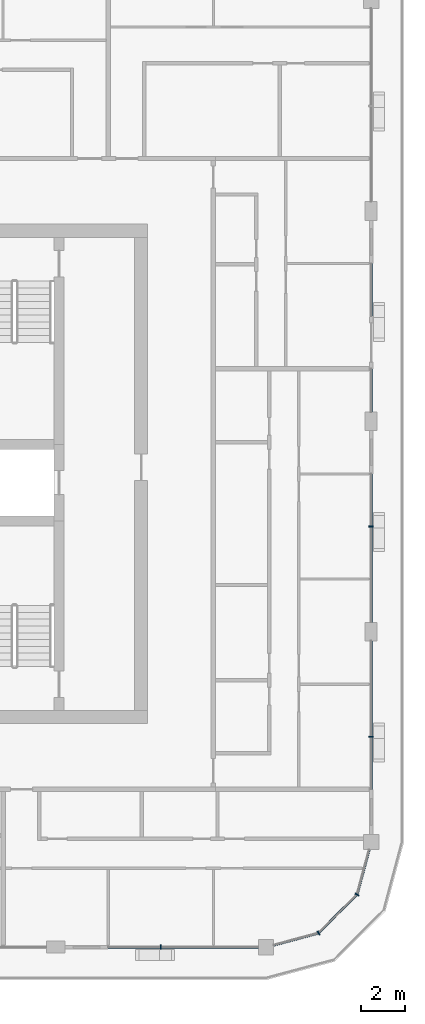
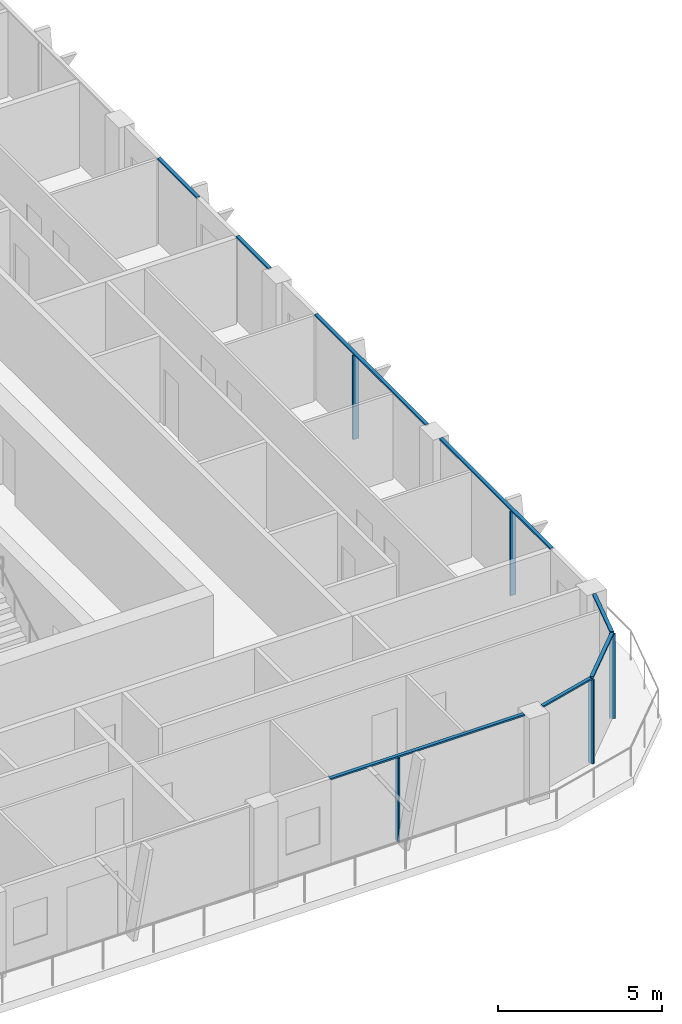
# One storey, part 4 of 21: 13 members, 5 elements without a shape of their own.
"""IFC4 building model written with IfcOpenShell, lengths in metres."""

from ifc_helpers import new_model, si_unit, direction, frame, origin, origin_2d, place, context, subcontext, project, spatial, rectangle, extrude, material, layer, layer_set, material_profile, profile_set, type_object, element, aggregate, save


model = new_model("IFC4")

# Units and contexts
model_context = context("Model", 3, precision=1e-05, world=origin(), true_north=direction((0.0, 1.0)))
body_context = subcontext(model_context, "Body", "Model", "MODEL_VIEW")
ifc_project = project(units=[si_unit("LENGTHUNIT", "METRE"), si_unit("AREAUNIT", "SQUARE_METRE"), si_unit("VOLUMEUNIT", "CUBIC_METRE"), si_unit("PLANEANGLEUNIT", "RADIAN"), si_unit("MASSUNIT", "GRAM", prefix="KILO")], contexts=[model_context])

# Site, building, storey
site_placement = place(None, origin())
site = spatial("IfcSite", under=ifc_project, at=site_placement, CompositionType="ELEMENT")
building_placement = place(site_placement, origin())
building = spatial("IfcBuilding", under=site, at=building_placement, Name="Madar Terraces", CompositionType="ELEMENT")
storey_placement = place(building_placement, frame((0.0, 0.0, 238.699951171875)))
storey = spatial("IfcBuildingStorey", under=building, at=storey_placement, Name="L62", CompositionType="ELEMENT", Elevation=238.699951171875)

# Curtain wall, member
ifc_material_1 = material(Name="Glass, ceramic frit dark grey, with black aluminium frame", Category="aluminium")
ifc_layer = layer(ifc_material_1, 0.199951171875)
ifc_layer_set = layer_set([ifc_layer], Name="Facade curtain wall, fritted glass")
curtain_wall_type = type_object("IfcCurtainWallType", Name="Facade curtain wall, fritted glass", PredefinedType="NOTDEFINED", material=ifc_layer_set)
curtain_wall_1_placement = place(storey_placement, origin())
curtain_wall_1 = element("IfcCurtainWall", 1, at=curtain_wall_1_placement, inside=storey, type_object=curtain_wall_type, Name="Outer skin curtain wall south bay 5", PredefinedType="NOTDEFINED")
ifc_material_2 = material(Name="Aluminium, black anodised", Category="aluminium")
ifc_material_profile_1 = material_profile(ifc_material_2, rectangle(XDim=0.199951171875, YDim=0.06005859375, at=origin_2d()), Name="Facade mullion 60x200")
ifc_profile_set_1 = profile_set([ifc_material_profile_1], Name="Aluminium, black anodised")
member_type_1 = type_object("IfcMemberType", Name="Facade mullion 60x200", PredefinedType="MULLION", material=ifc_profile_set_1)
member_1_placement = place(storey_placement, frame((48.0, 4.800048828125, 0.0), z_axis=(0.0, 0.0, 1.0), x_axis=(0.0, 1.0, 0.0)))
member_1 = element("IfcMember", 2, at=member_1_placement, type_object=member_type_1, Name="Mullion 1", PredefinedType="MULLION", context=body_context, shape_type="SweptSolid", body=[
    extrude(rectangle(XDim=0.199951171875, YDim=0.06005859375, at=origin_2d()), origin(), (0.0, 0.0, 1.0), 3.14013671875),
])

curtain_wall_2_placement = place(storey_placement, origin())
curtain_wall_2 = element("IfcCurtainWall", 3, at=curtain_wall_2_placement, inside=storey, type_object=curtain_wall_type, Name="Outer skin curtain wall east bay 1", PredefinedType="NOTDEFINED")
member_2_placement = place(storey_placement, frame((57.60009765625, 14.39990234375, 0.0), z_axis=(0.0, 0.0, 1.0), x_axis=(-1.0, 0.0, 0.0)))
member_2 = element("IfcMember", 4, at=member_2_placement, type_object=member_type_1, Name="Mullion 1", PredefinedType="MULLION", context=body_context, shape_type="SweptSolid", body=[
    extrude(rectangle(XDim=0.199951171875, YDim=0.06005859375, at=origin_2d()), origin(), (0.0, 0.0, 1.0), 3.14013671875),
])

curtain_wall_3_placement = place(storey_placement, origin())
curtain_wall_3 = element("IfcCurtainWall", 5, at=curtain_wall_3_placement, inside=storey, type_object=curtain_wall_type, Name="Outer skin curtain wall east bay 2", PredefinedType="NOTDEFINED")
member_3_placement = place(storey_placement, frame((57.60009765625, 24.0, 0.0), z_axis=(0.0, 0.0, 1.0), x_axis=(-1.0, 0.0, 0.0)))
member_3 = element("IfcMember", 6, at=member_3_placement, type_object=member_type_1, Name="Mullion 1", PredefinedType="MULLION", context=body_context, shape_type="SweptSolid", body=[
    extrude(rectangle(XDim=0.199951171875, YDim=0.06005859375, at=origin_2d()), origin(), (0.0, 0.0, 1.0), 3.14013671875),
])

# Curtain wall, members
curtain_wall_4_placement = place(storey_placement, origin())
curtain_wall_4 = element("IfcCurtainWall", 7, at=curtain_wall_4_placement, inside=storey, type_object=curtain_wall_type, Name="Outer skin curtain wall south-east corner", PredefinedType="NOTDEFINED")
member_4_placement = place(storey_placement, frame((55.199951171875, 5.443115234375, 0.0), z_axis=(0.0, 0.0, 1.0), x_axis=(-0.499999989586, 0.866025409797, 0.0)))
member_4 = element("IfcMember", 8, at=member_4_placement, type_object=member_type_1, Name="Mullion 1", PredefinedType="MULLION", context=body_context, shape_type="SweptSolid", body=[
    extrude(rectangle(XDim=0.199951171875, YDim=0.06005859375, at=origin_2d()), origin(), (0.0, 0.0, 1.0), 3.14013671875),
])
member_5_placement = place(storey_placement, frame((56.95703125, 7.199951171875, 0.0), z_axis=(0.0, 0.0, 1.0), x_axis=(-0.866025409797, 0.499999989586, 0.0)))
member_5 = element("IfcMember", 9, at=member_5_placement, type_object=member_type_1, Name="Mullion 2", PredefinedType="MULLION", context=body_context, shape_type="SweptSolid", body=[
    extrude(rectangle(XDim=0.199951171875, YDim=0.06005859375, at=origin_2d()), origin(), (0.0, 0.0, 1.0), 3.14013671875),
])

# Member
ifc_material_3 = material(Name="Aluminium, black anodised", Category="aluminium")
ifc_material_profile_2 = material_profile(ifc_material_3, rectangle(XDim=0.1201171875, YDim=0.06005859375, at=origin_2d()), Name="Facade transom 60x120")
ifc_profile_set_2 = profile_set([ifc_material_profile_2], Name="Aluminium, black anodised")
member_type_2 = type_object("IfcMemberType", Name="Facade transom 60x120", PredefinedType="USERDEFINED", material=ifc_profile_set_2)
member_6_placement = place(storey_placement, frame((45.60009765625, 4.800048828125, 3.170166015625), z_axis=(1.0, 0.0, 0.0), x_axis=(0.0, 1.0, 0.0)))
member_6 = element("IfcMember", 10, at=member_6_placement, type_object=member_type_2, Name="Transom 1", ObjectType="TRANSOM", PredefinedType="USERDEFINED", context=body_context, shape_type="SweptSolid", body=[
    extrude(rectangle(XDim=0.1201171875, YDim=0.06005859375, at=origin_2d()), origin(), (0.0, 0.0, 1.0), 6.849853515625),
])

aggregate(curtain_wall_1, [member_1, member_6])

member_7_placement = place(storey_placement, frame((57.60009765625, 12.0, 3.170166015625), z_axis=(0.0, 1.0, 0.0), x_axis=(-1.0, 0.0, 0.0)))
member_7 = element("IfcMember", 11, at=member_7_placement, type_object=member_type_2, Name="Transom 1", ObjectType="TRANSOM", PredefinedType="USERDEFINED", context=body_context, shape_type="SweptSolid", body=[
    extrude(rectangle(XDim=0.1201171875, YDim=0.06005859375, at=origin_2d()), origin(), (0.0, 0.0, 1.0), 6.77490234375),
])

aggregate(curtain_wall_2, [member_2, member_7])

member_8_placement = place(storey_placement, frame((57.60009765625, 19.625, 3.170166015625), z_axis=(0.0, 1.0, 0.0), x_axis=(-1.0, 0.0, 0.0)))
member_8 = element("IfcMember", 12, at=member_8_placement, type_object=member_type_2, Name="Transom 1", ObjectType="TRANSOM", PredefinedType="USERDEFINED", context=body_context, shape_type="SweptSolid", body=[
    extrude(rectangle(XDim=0.1201171875, YDim=0.06005859375, at=origin_2d()), origin(), (0.0, 0.0, 1.0), 6.77490234375),
])

aggregate(curtain_wall_3, [member_3, member_8])

# Curtain wall, members
curtain_wall_5_placement = place(storey_placement, origin())
curtain_wall_5 = element("IfcCurtainWall", 13, at=curtain_wall_5_placement, inside=storey, type_object=curtain_wall_type, Name="Outer skin curtain wall east bay 3", PredefinedType="NOTDEFINED")
member_9_placement = place(storey_placement, frame((57.60009765625, 29.22509765625, 3.170166015625), z_axis=(0.0, 1.0, 0.0), x_axis=(-1.0, 0.0, 0.0)))
member_9 = element("IfcMember", 14, at=member_9_placement, type_object=member_type_2, Name="Transom 1", ObjectType="TRANSOM", PredefinedType="USERDEFINED", context=body_context, shape_type="SweptSolid", body=[
    extrude(rectangle(XDim=0.1201171875, YDim=0.06005859375, at=origin_2d()), origin(), (0.0, 0.0, 1.0), 1.974853515625),
])
member_10_placement = place(storey_placement, frame((57.60009765625, 33.60009765625, 3.170166015625), z_axis=(0.0, 1.0, 0.0), x_axis=(-1.0, 0.0, 0.0)))
member_10 = element("IfcMember", 15, at=member_10_placement, type_object=member_type_2, Name="Transom 2", ObjectType="TRANSOM", PredefinedType="USERDEFINED", context=body_context, shape_type="SweptSolid", body=[
    extrude(rectangle(XDim=0.1201171875, YDim=0.06005859375, at=origin_2d()), origin(), (0.0, 0.0, 1.0), 2.39990234375),
])
aggregate(curtain_wall_5, [member_9, member_10])

# Member
member_11_placement = place(storey_placement, frame((53.14990234375, 4.893798828125, 3.170166015625), z_axis=(0.965936074212, 0.258780796304, 0.0), x_axis=(-0.258780796304, 0.965936074212, 0.0)))
member_11 = element("IfcMember", 16, at=member_11_placement, type_object=member_type_2, Name="Transom 1", ObjectType="TRANSOM", PredefinedType="USERDEFINED", context=body_context, shape_type="SweptSolid", body=[
    extrude(rectangle(XDim=0.1201171875, YDim=0.06005859375, at=origin_2d()), origin(), (0.0, 0.0, 1.0), 2.092529296875),
])

member_12_placement = place(storey_placement, frame((55.22119140625, 5.46435546875, 3.170166015625), z_axis=(0.707157125196, 0.707056433593, 0.0), x_axis=(-0.707056433593, 0.707157125196, 0.0)))
member_12 = element("IfcMember", 17, at=member_12_placement, type_object=member_type_2, Name="Transom 2", ObjectType="TRANSOM", PredefinedType="USERDEFINED", context=body_context, shape_type="SweptSolid", body=[
    extrude(rectangle(XDim=0.1201171875, YDim=0.06005859375, at=origin_2d()), origin(), (0.0, 0.0, 1.0), 2.424560546875),
])

member_13_placement = place(storey_placement, frame((56.964599609375, 7.22900390625, 3.170166015625), z_axis=(0.258809963731, 0.965928259589, 0.0), x_axis=(-0.965928259589, 0.258809963731, 0.0)))
member_13 = element("IfcMember", 18, at=member_13_placement, type_object=member_type_2, Name="Transom 3", ObjectType="TRANSOM", PredefinedType="USERDEFINED", context=body_context, shape_type="SweptSolid", body=[
    extrude(rectangle(XDim=0.1201171875, YDim=0.06005859375, at=origin_2d()), origin(), (0.0, 0.0, 1.0), 2.09228515625),
])

aggregate(curtain_wall_4, [member_4, member_11, member_5, member_12, member_13])

save(model, "model.ifc")
